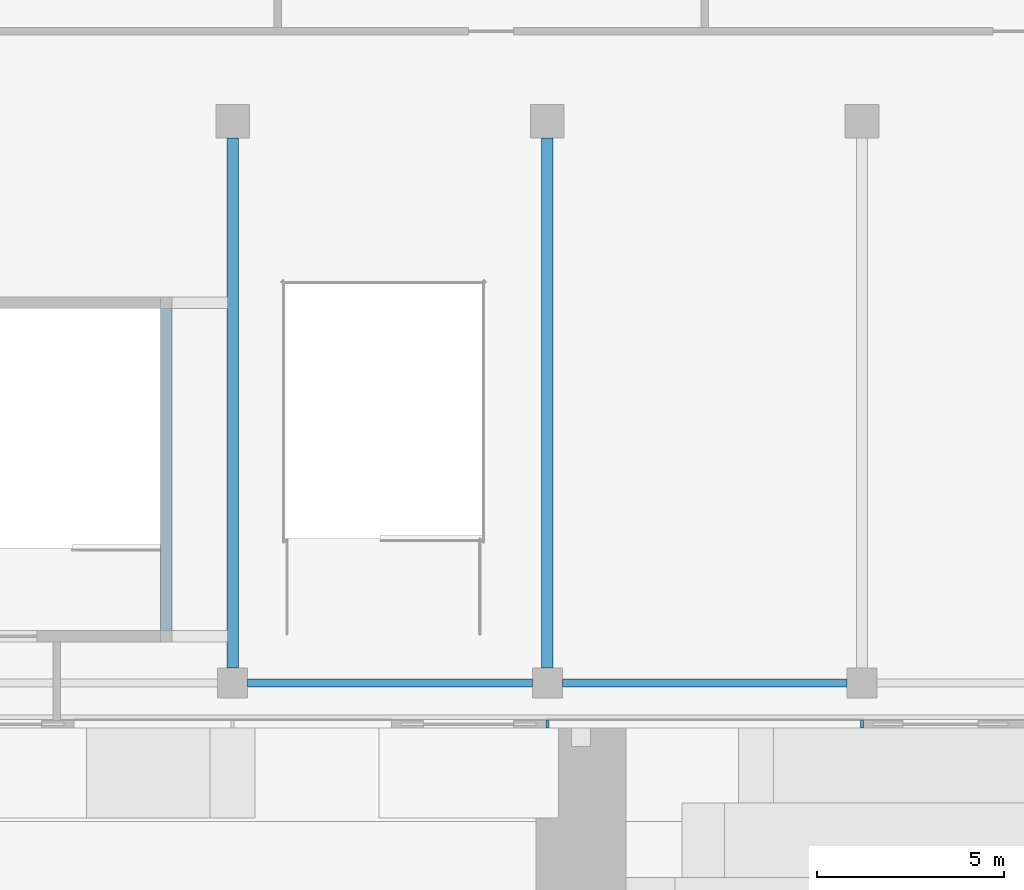
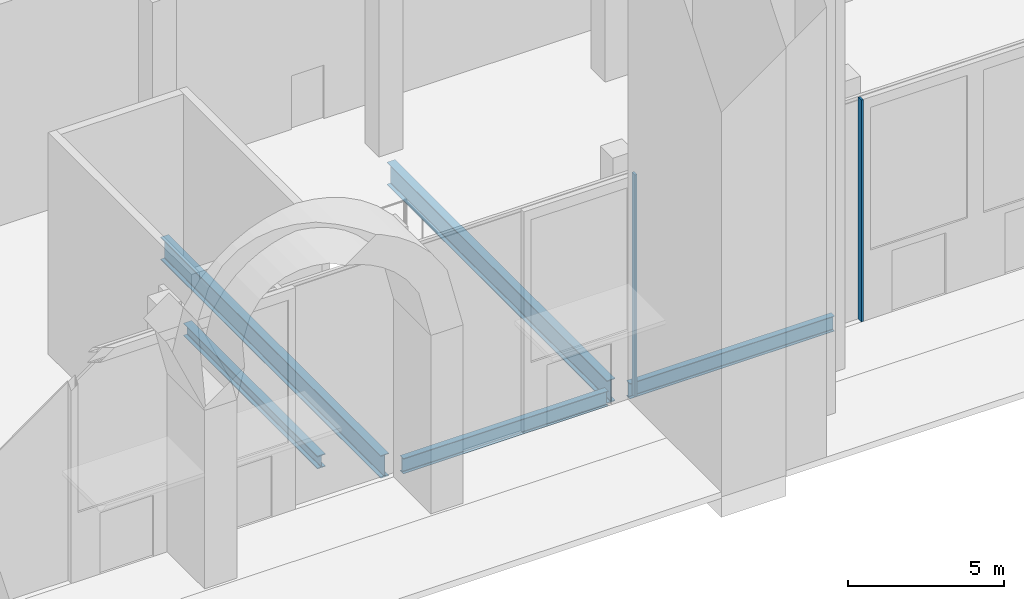
# One storey, part 3 of 43: 5 beams, 2 members, 1 element without a shape of its own.
"""IFC4 building model written with IfcOpenShell, lengths in metres."""

import ifcopenshell
import ifcopenshell.guid

model = None  # the IFC model being written
_history = None  # IfcOwnerHistory: only IFC2X3 demands one
_inside = {}  # id of a spatial element -> (the spatial element, [elements in it])
_under = {}  # id of a project, library or spatial element -> (it, [spatial elements below it])
_declared = {}  # id of a project -> (the project, [libraries it declares])
_typed = {}  # id of a type object -> (the type object, [elements of that type])
_made_of = {}  # id of a material, layer set ... -> (it, [elements and type objects made of it])


def new_model(schema):
    """Start an empty IFC model of exactly this schema.

    Asked for "IFC4X3", IfcOpenShell would pick the latest addendum, in which some entities
    have other attributes; the version numbers below select the first issue.
    IFC2X3 requires an IfcOwnerHistory on every rooted entity: one is made here for all.
    """
    global model, _history
    if schema == "IFC4X3":
        model = ifcopenshell.file(schema_version=(4, 3, 0, 0))
    else:
        model = ifcopenshell.file(schema=schema)
    _inside.clear()
    _under.clear()
    _declared.clear()
    _typed.clear()
    _made_of.clear()
    _history = None
    if model.schema == "IFC2X3":
        org = make("IfcOrganization", Name="unknown")
        user = make(
            "IfcPersonAndOrganization",
            ThePerson=make("IfcPerson", FamilyName="unknown"),
            TheOrganization=org,
        )
        app = make(
            "IfcApplication",
            ApplicationDeveloper=org,
            Version="unknown",
            ApplicationFullName="unknown",
            ApplicationIdentifier="unknown",
        )
        _history = make(
            "IfcOwnerHistory",
            OwningUser=user,
            OwningApplication=app,
            ChangeAction="ADDED",
            CreationDate=0,
        )
    return model


def make(cls, **values):
    """One entity of the class cls with the attributes given. An attribute that is None is left unset."""
    return model.create_entity(
        cls, **{name: value for name, value in values.items() if value is not None}
    )


def rooted(cls, **values):
    """An entity with a GlobalId (a new one), such as an element, a storey or a relation."""
    return make(cls, GlobalId=ifcopenshell.guid.new(), OwnerHistory=_history, **values)


def si_unit(unit_type, name, prefix=None):
    """IfcSIUnit, for example si_unit("LENGTHUNIT", "METRE", prefix="MILLI")."""
    return make("IfcSIUnit", UnitType=unit_type, Prefix=prefix, Name=name)


def assignment(units):
    """IfcUnitAssignment: the units of a project."""
    return None if units is None else make("IfcUnitAssignment", Units=units)


def point(xyz):
    """IfcCartesianPoint."""
    return None if xyz is None else make("IfcCartesianPoint", Coordinates=xyz)


def direction(xyz):
    """IfcDirection."""
    return None if xyz is None else make("IfcDirection", DirectionRatios=xyz)


def frame(location, z_axis=None, x_axis=None):
    """IfcAxis2Placement3D, a coordinate frame: its origin and axes. An axis left out is left unset."""
    return make(
        "IfcAxis2Placement3D",
        Location=point(location),
        Axis=direction(z_axis),
        RefDirection=direction(x_axis),
    )


def frame_2d(location, x_axis=None):
    """IfcAxis2Placement2D, a coordinate frame in the plane: its origin and x axis."""
    return make(
        "IfcAxis2Placement2D", Location=point(location), RefDirection=direction(x_axis)
    )


def origin():
    """The frame at (0, 0, 0) with its axes left unset."""
    return frame((0.0, 0.0, 0.0))


def origin_2d():
    """The frame at (0, 0) in the plane with its x axis left unset."""
    return frame_2d((0.0, 0.0))


def place(relative_to, where):
    """IfcLocalPlacement: puts the frame where relative to a parent placement (None: the world)."""
    return make(
        "IfcLocalPlacement", PlacementRelTo=relative_to, RelativePlacement=where
    )


def context(
    kind, dimensions, precision=None, world=None, true_north=None, identifier=None
):
    """IfcGeometricRepresentationContext, for example the 3D "Model" context."""
    return make(
        "IfcGeometricRepresentationContext",
        ContextIdentifier=identifier,
        ContextType=kind,
        CoordinateSpaceDimension=dimensions,
        Precision=precision,
        WorldCoordinateSystem=world,
        TrueNorth=true_north,
    )


def subcontext(parent, identifier, kind, view, scale=None):
    """IfcGeometricRepresentationSubContext, for example "Body" below "Model"."""
    return make(
        "IfcGeometricRepresentationSubContext",
        ContextIdentifier=identifier,
        ContextType=kind,
        ParentContext=parent,
        TargetScale=scale,
        TargetView=view,
    )


def project(units=None, contexts=None):
    """IfcProject with its units and contexts."""
    return rooted(
        "IfcProject",
        Name="project",
        RepresentationContexts=contexts,
        UnitsInContext=assignment(units),
    )


def spatial(cls, under=None, at=None, **own):
    """A site, building, storey or space (cls), placed at a placement, below another one or the project."""
    s = rooted(cls, ObjectPlacement=at, **own)
    if under is not None:
        _under.setdefault(under.id(), (under, []))[1].append(s)
    return s


def profile(cls, at=None, kind="AREA", **sizes):
    """A parametric profile (cls). Its sizes go by their IFC names, for example OverallWidth=200.0."""
    return make(cls, ProfileType=kind, Position=at, **sizes)


def rectangle(**sizes):
    """IfcRectangleProfileDef."""
    return profile("IfcRectangleProfileDef", **sizes)


def i_section(**sizes):
    """IfcIShapeProfileDef."""
    return profile("IfcIShapeProfileDef", **sizes)


def extrude(swept, where, along, depth):
    """IfcExtrudedAreaSolid: the profile swept, set in the frame where, extruded along a direction by depth."""
    return make(
        "IfcExtrudedAreaSolid",
        SweptArea=swept,
        Position=where,
        ExtrudedDirection=direction(along),
        Depth=depth,
    )


def shape(context_of_items, identifier, shape_type, items):
    """IfcShapeRepresentation: the items that make up one representation, for example the "Body"."""
    return make(
        "IfcShapeRepresentation",
        ContextOfItems=context_of_items,
        RepresentationIdentifier=identifier,
        RepresentationType=shape_type,
        Items=items,
    )


def material(Name=None, Category=None):
    """IfcMaterial."""
    return make("IfcMaterial", Name=Name, Category=Category)


def material_profile(
    of_material, cross_section, Name=None, Category=None, Priority=None
):
    """IfcMaterialProfile: a cross section and its material."""
    return make(
        "IfcMaterialProfile",
        Name=Name,
        Material=of_material,
        Profile=cross_section,
        Priority=Priority,
        Category=Category,
    )


def profile_set(profiles, Name=None, composite=None):
    """IfcMaterialProfileSet."""
    return make(
        "IfcMaterialProfileSet",
        Name=Name,
        MaterialProfiles=profiles,
        CompositeProfile=composite,
    )


def made_of(thing, what):
    """Note that an element or type object is made of a material, layer set ...; save() writes the relation."""
    if what is not None:
        _made_of.setdefault(what.id(), (what, []))[1].append(thing)
    return thing


def type_object(cls, material=None, **own):
    """A type object (cls), such as IfcWallType, which elements share."""
    return made_of(rooted(cls, **own), material)


def element(
    cls,
    number,
    at=None,
    inside=None,
    cuts=None,
    type_object=None,
    material=None,
    context=None,
    identifier="Body",
    shape_type=None,
    held_by="IfcProductDefinitionShape",
    body=None,
    shapes=None,
    **own,
):
    """One element of the class cls, such as IfcWall. Its Tag is "e" and its number.

    at: its placement. inside: the storey or other place that contains it. cuts: it is an
    opening in that element (IfcRelVoidsElement). A single representation is given by context,
    identifier, shape_type and body (its items); several are given by shapes. held_by: the class
    of the entity that holds the representations. save() writes the other relations.
    """
    e = rooted(cls, Tag="e%d" % number, ObjectPlacement=at, **own)
    if body is not None:
        shapes = [shape(context, identifier, shape_type, body)]
    if shapes is not None:
        e.Representation = make(held_by, Representations=shapes)
    if inside is not None:
        _inside.setdefault(inside.id(), (inside, []))[1].append(e)
    if cuts is not None:
        rooted(
            "IfcRelVoidsElement", RelatingBuildingElement=cuts, RelatedOpeningElement=e
        )
    if type_object is not None:
        _typed.setdefault(type_object.id(), (type_object, []))[1].append(e)
    return made_of(e, material)


def aggregate(whole, parts):
    """IfcRelAggregates: a whole, such as a stair, and the parts it consists of."""
    return rooted("IfcRelAggregates", RelatingObject=whole, RelatedObjects=parts)


def save(model, path):
    """Write the relations noted so far, then the file.

    IfcRelAggregates (storeys below a building ...), IfcRelContainedInSpatialStructure (elements
    in a storey), IfcRelDefinesByType, IfcRelAssociatesMaterial and IfcRelDeclares: one each for
    every whole, place, type object, material and project.
    """
    for whole, parts in _under.values():
        aggregate(whole, parts)
    for where, things in _inside.values():
        rooted(
            "IfcRelContainedInSpatialStructure",
            RelatedElements=things,
            RelatingStructure=where,
        )
    for kind, things in _typed.values():
        rooted("IfcRelDefinesByType", RelatedObjects=things, RelatingType=kind)
    for what, things in _made_of.values():
        rooted("IfcRelAssociatesMaterial", RelatedObjects=things, RelatingMaterial=what)
    for by, libraries in _declared.values():
        rooted("IfcRelDeclares", RelatingContext=by, RelatedDefinitions=libraries)
    model.write(path)


model = new_model("IFC4")

# Units and contexts
model_context = context("Model", 3, precision=1e-05, world=origin(), true_north=direction((0.0, 1.0)))
body_context = subcontext(model_context, "Body", "Model", "MODEL_VIEW")
ifc_project = project(units=[si_unit("LENGTHUNIT", "METRE"), si_unit("AREAUNIT", "SQUARE_METRE"), si_unit("VOLUMEUNIT", "CUBIC_METRE"), si_unit("PLANEANGLEUNIT", "RADIAN"), si_unit("MASSUNIT", "GRAM", prefix="KILO")], contexts=[model_context])

# Site, building, storey
site_placement = place(None, origin())
site = spatial("IfcSite", under=ifc_project, at=site_placement, CompositionType="ELEMENT")
building_placement = place(site_placement, origin())
building = spatial("IfcBuilding", under=site, at=building_placement, Name="Saffron Gate Tower", CompositionType="ELEMENT")
storey_placement = place(building_placement, origin())
storey = spatial("IfcBuildingStorey", under=building, at=storey_placement, Name="L00", CompositionType="ELEMENT", Elevation=0.0)

# Beams
ifc_material_1 = material(Name="Structural steel S355", Category="steel")
ifc_material_profile_1 = material_profile(ifc_material_1, i_section(OverallWidth=0.219970703125, OverallDepth=0.60009765625, WebThickness=0.011962890625, FlangeThickness=0.01904296875, FilletRadius=0.02392578125, at=origin_2d()))
ifc_profile_set_1 = profile_set([ifc_material_profile_1], Name="Structural steel S355")
beam_type_1 = type_object("IfcBeamType", Name="B15 IPE 600", PredefinedType="BEAM", material=ifc_profile_set_1)
for number, where, z_axis, x_axis, name in (
    (1, (67.0, 16.800048828125, -0.60009765625), (1.0, 0.0, 0.0), (0.0, 1.0, 0.0), "B15 PODIUM EDGE BEAM"),
    (2, (75.39990234375, 16.800048828125, -0.60009765625), (1.0, 0.0, 0.0), (0.0, 1.0, 0.0), "B15 PODIUM EDGE BEAM"),
):
    element("IfcBeam", number, at=place(storey_placement, frame(where, z_axis=z_axis, x_axis=x_axis)), inside=storey, type_object=beam_type_1, Name=name, PredefinedType="BEAM", context=body_context, shape_type="SweptSolid", body=[
        extrude(i_section(OverallWidth=0.219970703125, OverallDepth=0.60009765625, WebThickness=0.011962890625, FlangeThickness=0.01904296875, FilletRadius=0.02392578125, at=origin_2d()), origin(), (0.0, 0.0, 1.0), 7.60009765625),
    ])
ifc_material_profile_2 = material_profile(ifc_material_1, i_section(OverallWidth=0.300048828125, OverallDepth=0.889892578125, WebThickness=0.01611328125, FlangeThickness=0.030029296875, FilletRadius=0.030029296875, at=origin_2d()))
ifc_profile_set_2 = profile_set([ifc_material_profile_2], Name="Structural steel S355")
beam_type_2 = type_object("IfcBeamType", Name="B19 HEA 900", PredefinedType="BEAM", material=ifc_profile_set_2)
for number, where, z_axis, x_axis, name in (
    (3, (66.60009765625, 17.199951171875, -0.7451171875), (0.0, 1.0, 0.0), (-1.0, 0.0, 0.0), "B19 PODIUM RING GIRDER"),
    (4, (75.0, 17.199951171875, -0.7451171875), (0.0, 1.0, 0.0), (-1.0, 0.0, 0.0), "B19 PODIUM RING GIRDER"),
):
    element("IfcBeam", number, at=place(storey_placement, frame(where, z_axis=z_axis, x_axis=x_axis)), inside=storey, type_object=beam_type_2, Name=name, PredefinedType="BEAM", context=body_context, shape_type="SweptSolid", body=[
        extrude(i_section(OverallWidth=0.300048828125, OverallDepth=0.889892578125, WebThickness=0.01611328125, FlangeThickness=0.030029296875, FilletRadius=0.030029296875, at=origin_2d()), origin(), (0.0, 0.0, 1.0), 14.150146484375),
    ])
ifc_material_profile_3 = material_profile(ifc_material_1, i_section(OverallWidth=0.300048828125, OverallDepth=0.5, WebThickness=0.014404296875, FlangeThickness=0.028076171875, FilletRadius=0.027099609375, at=origin_2d()))
ifc_profile_set_3 = profile_set([ifc_material_profile_3], Name="Structural steel S355")
beam_type_3 = type_object("IfcBeamType", Name="B9 HEB 500", PredefinedType="BEAM", material=ifc_profile_set_3)
beam_placement = place(storey_placement, frame((64.824951171875, 18.18994140625, -0.550048828125), z_axis=(0.0, 1.0, 0.0), x_axis=(-1.0, 0.0, 0.0)))
element("IfcBeam", 5, at=beam_placement, inside=storey, type_object=beam_type_3, Name="B9 STAIR ENCLOSURE TRIMMER BEAM", PredefinedType="BEAM", context=body_context, shape_type="SweptSolid", body=[
    extrude(i_section(OverallWidth=0.300048828125, OverallDepth=0.5, WebThickness=0.014404296875, FlangeThickness=0.028076171875, FilletRadius=0.027099609375, at=origin_2d()), origin(), (0.0, 0.0, 1.0), 8.6201171875),
])

# Curtain wall, members
ifc_material_2 = material(Name="Aluminium, bronze anodised", Category="aluminium")
curtain_wall_type = type_object("IfcCurtainWallType", Name="CWS5 curtain wall podium ring base", PredefinedType="NOTDEFINED", material=ifc_material_2)
curtain_wall_placement = place(storey_placement, origin())
curtain_wall = element("IfcCurtainWall", 6, at=curtain_wall_placement, inside=storey, type_object=curtain_wall_type, Name="CWS5 run 1", PredefinedType="NOTDEFINED")
ifc_material_profile_4 = material_profile(ifc_material_2, rectangle(XDim=0.199951171875, YDim=0.080078125, at=origin_2d()))
ifc_profile_set_4 = profile_set([ifc_material_profile_4], Name="Aluminium, bronze anodised")
member_type = type_object("IfcMemberType", Name="CWS5 mullion 80x200", PredefinedType="MULLION", material=ifc_profile_set_4)
member_1_placement = place(storey_placement, frame((75.0, 15.699951171875, 0.0), z_axis=(0.0, 0.0, 1.0), x_axis=(0.0, 1.0, 0.0)))
member_1 = element("IfcMember", 7, at=member_1_placement, type_object=member_type, Name="CWS5 mullion 7", PredefinedType="MULLION", context=body_context, shape_type="SweptSolid", body=[
    extrude(rectangle(XDim=0.199951171875, YDim=0.080078125, at=origin_2d()), origin(), (0.0, 0.0, 1.0), 8.699951171875),
])
member_2_placement = place(storey_placement, frame((83.39990234375, 15.699951171875, 0.0), z_axis=(0.0, 0.0, 1.0), x_axis=(0.0, 1.0, 0.0)))
member_2 = element("IfcMember", 8, at=member_2_placement, type_object=member_type, Name="CWS5 mullion 8", PredefinedType="MULLION", context=body_context, shape_type="SweptSolid", body=[
    extrude(rectangle(XDim=0.199951171875, YDim=0.080078125, at=origin_2d()), origin(), (0.0, 0.0, 1.0), 8.699951171875),
])
aggregate(curtain_wall, [member_1, member_2])

save(model, "model.ifc")
